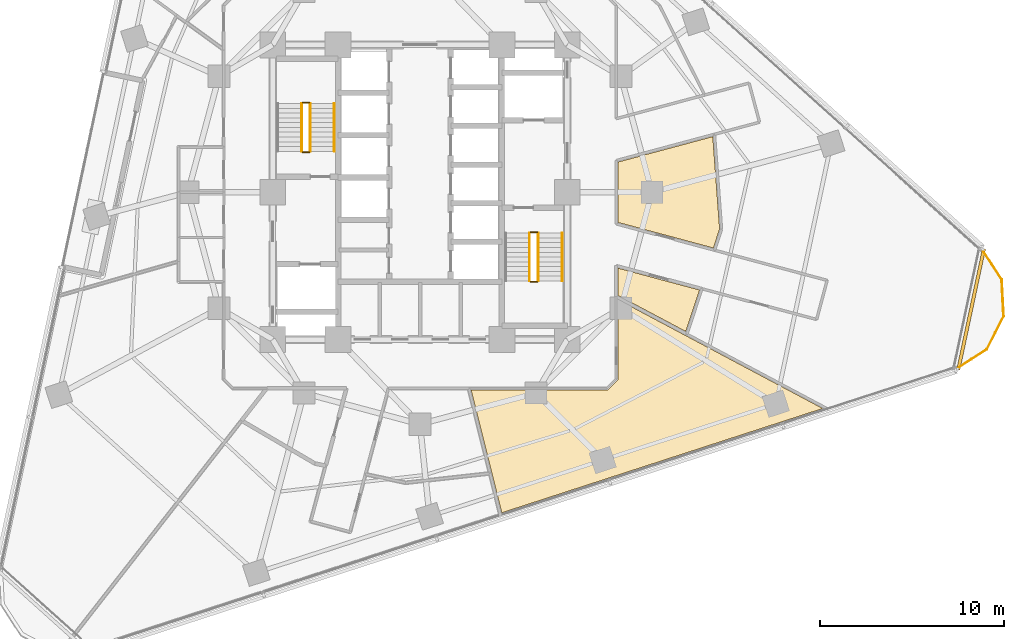
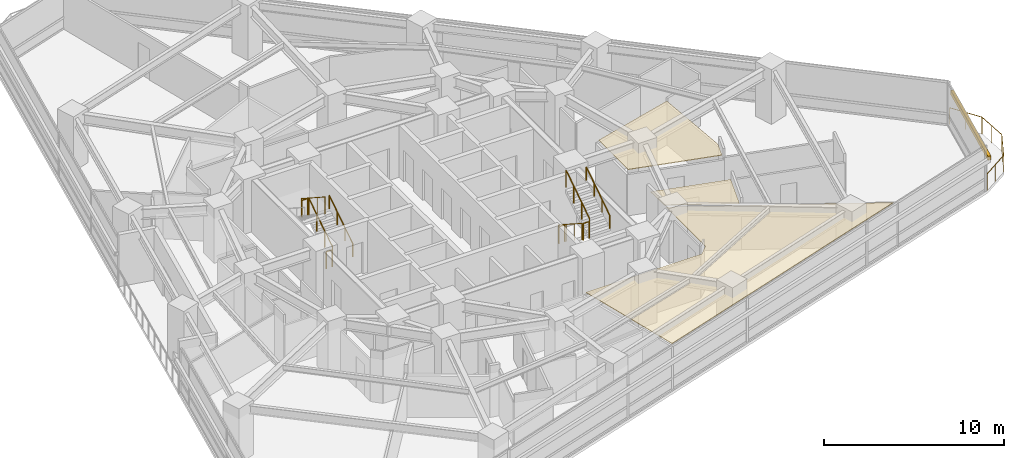
# One storey, part 13 of 14: 11 railings, 3 coverings, 1 shading device.
"""IFC4 building model written with IfcOpenShell, lengths in metres."""

import ifcopenshell
import ifcopenshell.guid

model = None  # the IFC model being written
_history = None  # IfcOwnerHistory: only IFC2X3 demands one
_inside = {}  # id of a spatial element -> (the spatial element, [elements in it])
_under = {}  # id of a project, library or spatial element -> (it, [spatial elements below it])
_declared = {}  # id of a project -> (the project, [libraries it declares])
_typed = {}  # id of a type object -> (the type object, [elements of that type])
_made_of = {}  # id of a material, layer set ... -> (it, [elements and type objects made of it])


def new_model(schema):
    """Start an empty IFC model of exactly this schema.

    Asked for "IFC4X3", IfcOpenShell would pick the latest addendum, in which some entities
    have other attributes; the version numbers below select the first issue.
    IFC2X3 requires an IfcOwnerHistory on every rooted entity: one is made here for all.
    """
    global model, _history
    if schema == "IFC4X3":
        model = ifcopenshell.file(schema_version=(4, 3, 0, 0))
    else:
        model = ifcopenshell.file(schema=schema)
    _inside.clear()
    _under.clear()
    _declared.clear()
    _typed.clear()
    _made_of.clear()
    _history = None
    if model.schema == "IFC2X3":
        org = make("IfcOrganization", Name="unknown")
        user = make(
            "IfcPersonAndOrganization",
            ThePerson=make("IfcPerson", FamilyName="unknown"),
            TheOrganization=org,
        )
        app = make(
            "IfcApplication",
            ApplicationDeveloper=org,
            Version="unknown",
            ApplicationFullName="unknown",
            ApplicationIdentifier="unknown",
        )
        _history = make(
            "IfcOwnerHistory",
            OwningUser=user,
            OwningApplication=app,
            ChangeAction="ADDED",
            CreationDate=0,
        )
    return model


def make(cls, **values):
    """One entity of the class cls with the attributes given. An attribute that is None is left unset."""
    return model.create_entity(
        cls, **{name: value for name, value in values.items() if value is not None}
    )


def rooted(cls, **values):
    """An entity with a GlobalId (a new one), such as an element, a storey or a relation."""
    return make(cls, GlobalId=ifcopenshell.guid.new(), OwnerHistory=_history, **values)


def si_unit(unit_type, name, prefix=None):
    """IfcSIUnit, for example si_unit("LENGTHUNIT", "METRE", prefix="MILLI")."""
    return make("IfcSIUnit", UnitType=unit_type, Prefix=prefix, Name=name)


def assignment(units):
    """IfcUnitAssignment: the units of a project."""
    return None if units is None else make("IfcUnitAssignment", Units=units)


def point(xyz):
    """IfcCartesianPoint."""
    return None if xyz is None else make("IfcCartesianPoint", Coordinates=xyz)


def direction(xyz):
    """IfcDirection."""
    return None if xyz is None else make("IfcDirection", DirectionRatios=xyz)


def frame(location, z_axis=None, x_axis=None):
    """IfcAxis2Placement3D, a coordinate frame: its origin and axes. An axis left out is left unset."""
    return make(
        "IfcAxis2Placement3D",
        Location=point(location),
        Axis=direction(z_axis),
        RefDirection=direction(x_axis),
    )


def frame_2d(location, x_axis=None):
    """IfcAxis2Placement2D, a coordinate frame in the plane: its origin and x axis."""
    return make(
        "IfcAxis2Placement2D", Location=point(location), RefDirection=direction(x_axis)
    )


def origin():
    """The frame at (0, 0, 0) with its axes left unset."""
    return frame((0.0, 0.0, 0.0))


def origin_2d():
    """The frame at (0, 0) in the plane with its x axis left unset."""
    return frame_2d((0.0, 0.0))


def place(relative_to, where):
    """IfcLocalPlacement: puts the frame where relative to a parent placement (None: the world)."""
    return make(
        "IfcLocalPlacement", PlacementRelTo=relative_to, RelativePlacement=where
    )


def context(
    kind, dimensions, precision=None, world=None, true_north=None, identifier=None
):
    """IfcGeometricRepresentationContext, for example the 3D "Model" context."""
    return make(
        "IfcGeometricRepresentationContext",
        ContextIdentifier=identifier,
        ContextType=kind,
        CoordinateSpaceDimension=dimensions,
        Precision=precision,
        WorldCoordinateSystem=world,
        TrueNorth=true_north,
    )


def subcontext(parent, identifier, kind, view, scale=None):
    """IfcGeometricRepresentationSubContext, for example "Body" below "Model"."""
    return make(
        "IfcGeometricRepresentationSubContext",
        ContextIdentifier=identifier,
        ContextType=kind,
        ParentContext=parent,
        TargetScale=scale,
        TargetView=view,
    )


def project(units=None, contexts=None):
    """IfcProject with its units and contexts."""
    return rooted(
        "IfcProject",
        Name="project",
        RepresentationContexts=contexts,
        UnitsInContext=assignment(units),
    )


def spatial(cls, under=None, at=None, **own):
    """A site, building, storey or space (cls), placed at a placement, below another one or the project."""
    s = rooted(cls, ObjectPlacement=at, **own)
    if under is not None:
        _under.setdefault(under.id(), (under, []))[1].append(s)
    return s


def polyline(points):
    """IfcPolyline through the points."""
    return make("IfcPolyline", Points=[point(p) for p in points])


def profile(cls, at=None, kind="AREA", **sizes):
    """A parametric profile (cls). Its sizes go by their IFC names, for example OverallWidth=200.0."""
    return make(cls, ProfileType=kind, Position=at, **sizes)


def rectangle(**sizes):
    """IfcRectangleProfileDef."""
    return profile("IfcRectangleProfileDef", **sizes)


def circle(**sizes):
    """IfcCircleProfileDef."""
    return profile("IfcCircleProfileDef", **sizes)


def outline(outer, holes=None, kind="AREA"):
    """IfcArbitraryClosedProfileDef: a profile drawn as a closed curve; with holes, ...WithVoids."""
    if holes is None:
        return make("IfcArbitraryClosedProfileDef", ProfileType=kind, OuterCurve=outer)
    return make(
        "IfcArbitraryProfileDefWithVoids",
        ProfileType=kind,
        OuterCurve=outer,
        InnerCurves=holes,
    )


def extrude(swept, where, along, depth):
    """IfcExtrudedAreaSolid: the profile swept, set in the frame where, extruded along a direction by depth."""
    return make(
        "IfcExtrudedAreaSolid",
        SweptArea=swept,
        Position=where,
        ExtrudedDirection=direction(along),
        Depth=depth,
    )


def shape(context_of_items, identifier, shape_type, items):
    """IfcShapeRepresentation: the items that make up one representation, for example the "Body"."""
    return make(
        "IfcShapeRepresentation",
        ContextOfItems=context_of_items,
        RepresentationIdentifier=identifier,
        RepresentationType=shape_type,
        Items=items,
    )


def material(Name=None, Category=None):
    """IfcMaterial."""
    return make("IfcMaterial", Name=Name, Category=Category)


def layer(
    of_material, thickness, ventilated=None, Name=None, Category=None, Priority=None
):
    """IfcMaterialLayer: one layer of a wall or slab, of a material (None: an air gap)."""
    return make(
        "IfcMaterialLayer",
        Material=of_material,
        LayerThickness=thickness,
        IsVentilated=ventilated,
        Name=Name,
        Category=Category,
        Priority=Priority,
    )


def layer_set(layers, Name=None):
    """IfcMaterialLayerSet."""
    return make("IfcMaterialLayerSet", MaterialLayers=layers, LayerSetName=Name)


def made_of(thing, what):
    """Note that an element or type object is made of a material, layer set ...; save() writes the relation."""
    if what is not None:
        _made_of.setdefault(what.id(), (what, []))[1].append(thing)
    return thing


def type_object(cls, material=None, **own):
    """A type object (cls), such as IfcWallType, which elements share."""
    return made_of(rooted(cls, **own), material)


def element(
    cls,
    number,
    at=None,
    inside=None,
    cuts=None,
    type_object=None,
    material=None,
    context=None,
    identifier="Body",
    shape_type=None,
    held_by="IfcProductDefinitionShape",
    body=None,
    shapes=None,
    **own,
):
    """One element of the class cls, such as IfcWall. Its Tag is "e" and its number.

    at: its placement. inside: the storey or other place that contains it. cuts: it is an
    opening in that element (IfcRelVoidsElement). A single representation is given by context,
    identifier, shape_type and body (its items); several are given by shapes. held_by: the class
    of the entity that holds the representations. save() writes the other relations.
    """
    e = rooted(cls, Tag="e%d" % number, ObjectPlacement=at, **own)
    if body is not None:
        shapes = [shape(context, identifier, shape_type, body)]
    if shapes is not None:
        e.Representation = make(held_by, Representations=shapes)
    if inside is not None:
        _inside.setdefault(inside.id(), (inside, []))[1].append(e)
    if cuts is not None:
        rooted(
            "IfcRelVoidsElement", RelatingBuildingElement=cuts, RelatedOpeningElement=e
        )
    if type_object is not None:
        _typed.setdefault(type_object.id(), (type_object, []))[1].append(e)
    return made_of(e, material)


def aggregate(whole, parts):
    """IfcRelAggregates: a whole, such as a stair, and the parts it consists of."""
    return rooted("IfcRelAggregates", RelatingObject=whole, RelatedObjects=parts)


def save(model, path):
    """Write the relations noted so far, then the file.

    IfcRelAggregates (storeys below a building ...), IfcRelContainedInSpatialStructure (elements
    in a storey), IfcRelDefinesByType, IfcRelAssociatesMaterial and IfcRelDeclares: one each for
    every whole, place, type object, material and project.
    """
    for whole, parts in _under.values():
        aggregate(whole, parts)
    for where, things in _inside.values():
        rooted(
            "IfcRelContainedInSpatialStructure",
            RelatedElements=things,
            RelatingStructure=where,
        )
    for kind, things in _typed.values():
        rooted("IfcRelDefinesByType", RelatedObjects=things, RelatingType=kind)
    for what, things in _made_of.values():
        rooted("IfcRelAssociatesMaterial", RelatedObjects=things, RelatingMaterial=what)
    for by, libraries in _declared.values():
        rooted("IfcRelDeclares", RelatingContext=by, RelatedDefinitions=libraries)
    model.write(path)


model = new_model("IFC4")

# Units and contexts
model_context = context("Model", 3, precision=1e-05, world=origin(), true_north=direction((0.0, 1.0)))
body_context = subcontext(model_context, "Body", "Model", "MODEL_VIEW")
ifc_project = project(units=[si_unit("LENGTHUNIT", "METRE"), si_unit("AREAUNIT", "SQUARE_METRE"), si_unit("VOLUMEUNIT", "CUBIC_METRE"), si_unit("PLANEANGLEUNIT", "RADIAN"), si_unit("MASSUNIT", "GRAM", prefix="KILO")], contexts=[model_context])

# Site, building, storey
site_placement = place(None, origin())
site = spatial("IfcSite", under=ifc_project, at=site_placement, CompositionType="ELEMENT")
building_placement = place(site_placement, origin())
building = spatial("IfcBuilding", under=site, at=building_placement, Name="Terralouvre Media Tower", CompositionType="ELEMENT")
storey_placement = place(building_placement, frame((0.0, 0.0, 112.5)))
storey = spatial("IfcBuildingStorey", under=building, at=storey_placement, Name="L28", CompositionType="ELEMENT", Elevation=112.5)

# Coverings
ifc_material_1 = material(Name="Perforated aluminium acoustic ceiling baffle", Category="aluminium")
ifc_layer_1 = layer(ifc_material_1, 0.0400390625, Name="Perforated Acoustic Metal Tile Ceiling CL-AC1")
ifc_layer_set_1 = layer_set([ifc_layer_1], Name="Perforated aluminium acoustic ceiling baffle")
covering_type = type_object("IfcCoveringType", Name="Perforated Acoustic Metal Tile Ceiling CL-AC1", PredefinedType="CEILING", material=ifc_layer_set_1)
covering_1_placement = place(storey_placement, frame((0.0, 0.0, 2.97998046875), z_axis=(0.0, 0.0, 1.0), x_axis=(0.951056516295, 0.309016994375, 0.0)))
element("IfcCovering", 1, at=covering_1_placement, inside=storey, type_object=covering_type, Name="L28 Editorial Collaborative Open Office 3 Acoustic Ceiling", PredefinedType="CEILING", context=body_context, shape_type="SweptSolid", body=[
    extrude(outline(polyline([(16.057861328125, -2.04296875), (10.730224609375, -1.763916015625), (9.717529296875, -4.880126953125), (14.220947265625, -7.804443359375), (14.861572265625, -6.93017578125), (16.057861328125, -2.04296875)])), origin(), (0.0, 0.0, 1.0), 0.0400390625),
])
covering_2_placement = place(storey_placement, frame((0.0, 0.0, 2.97998046875), z_axis=(0.0, 0.0, 1.0), x_axis=(0.951056516295, 0.309016994375, 0.0)))
element("IfcCovering", 2, at=covering_2_placement, inside=storey, type_object=covering_type, Name="L28 Executive Security Control Room 6 Acoustic Ceiling", PredefinedType="CEILING", context=body_context, shape_type="SweptSolid", body=[
    extrude(outline(polyline([(12.799560546875, -9.743408203125), (8.949951171875, -7.242431640625), (8.492431640625, -8.650634765625), (11.395751953125, -11.656982421875), (12.799560546875, -9.743408203125)])), origin(), (0.0, 0.0, 1.0), 0.0400390625),
])
covering_3_placement = place(storey_placement, frame((0.0, 0.0, 2.97998046875), z_axis=(0.0, 0.0, 1.0), x_axis=(0.951056516295, 0.309016994375, 0.0)))
element("IfcCovering", 3, at=covering_3_placement, inside=storey, type_object=covering_type, Name="L28 Compliance Review Seminar Room 9 Acoustic Ceiling", PredefinedType="CEILING", context=body_context, shape_type="SweptSolid", body=[
    extrude(outline(polyline([(8.42236328125, -8.865966796875), (7.08740234375, -12.97509765625), (7.083740234375, -12.984375), (7.07958984375, -12.9931640625), (7.07421875, -13.00146484375), (7.068359375, -13.00927734375), (7.0615234375, -13.016357421875), (7.05419921875, -13.022705078125), (7.046142578125, -13.0283203125), (7.03759765625, -13.033447265625), (6.407470703125, -13.354248046875), (6.398681640625, -13.3583984375), (6.389404296875, -13.361572265625), (6.379638671875, -13.36376953125), (6.3701171875, -13.364990234375), (6.360107421875, -13.365234375), (6.350341796875, -13.364501953125), (6.3408203125, -13.363037109375), (6.331298828125, -13.3603515625), (-0.675048828125, -11.083740234375), (-0.99755859375, -15.707275390625), (-1.153564453125, -17.931884765625), (17.17724609375, -17.932373046875), (11.334228515625, -11.88134765625), (8.42236328125, -8.865966796875)])), origin(), (0.0, 0.0, 1.0), 0.0400390625),
])

# Railings
ifc_material_2 = material(Name="Stainless steel 316 handrail and balustrade", Category="steel")
ifc_layer_2 = layer(ifc_material_2, 0.06005859375, Name="Roof Edge Safety Guardrail GR-ROOF1")
ifc_layer_set_2 = layer_set([ifc_layer_2], Name="Stainless steel 316 handrail and balustrade")
railing_type_1 = type_object("IfcRailingType", Name="Roof Edge Safety Guardrail GR-ROOF1", PredefinedType="GUARDRAIL", material=ifc_layer_set_2)
railing_1_placement = place(storey_placement, frame((29.105224609375, -9.6201171875, 0.0)))
element("IfcRailing", 4, at=railing_1_placement, inside=storey, type_object=railing_type_1, Name="L28 Wind-Corner Perimeter Safety Guardrail C1", PredefinedType="GUARDRAIL", context=body_context, shape_type="SweptSolid", body=[
    extrude(circle(Radius=0.02099609375, at=origin_2d()), frame((0.0, 0.0, 1.12890625), z_axis=(0.838760176544, 0.544501025016, 0.0), x_axis=(-0.544501025016, 0.838760176544, 0.0)), (0.0, 0.0, 1.0), 2.0078125),
    extrude(circle(Radius=0.02099609375, at=origin_2d()), frame((1.68408203125, 1.09326171875, 1.12890625), z_axis=(0.454107952828, 0.890946669099, 0.0), x_axis=(-0.890946669099, 0.454107952828, 0.0)), (0.0, 0.0, 1.0), 2.007568359375),
    extrude(circle(Radius=0.02099609375, at=origin_2d()), frame((2.595703125, 2.8818359375, 1.12890625), z_axis=(-0.052412032372, 0.998625544868, 0.0), x_axis=(-0.998625544868, -0.052412032372, 0.0)), (0.0, 0.0, 1.0), 2.007568359375),
    extrude(circle(Radius=0.02099609375, at=origin_2d()), frame((2.490478515625, 4.88671875, 1.12890625), z_axis=(-0.544868673015, 0.838521394579, 0.0), x_axis=(-0.838521394579, -0.544868673015, 0.0)), (0.0, 0.0, 1.0), 2.0078125),
    extrude(circle(Radius=0.01904296875, at=origin_2d()), origin(), (0.0, 0.0, 1.0), 1.10791015625),
    extrude(circle(Radius=0.01904296875, at=origin_2d()), frame((0.842041015625, 0.546630859375, 0.0)), (0.0, 0.0, 1.0), 1.10791015625),
    extrude(circle(Radius=0.01904296875, at=origin_2d()), frame((1.68408203125, 1.09326171875, 0.0)), (0.0, 0.0, 1.0), 1.10791015625),
    extrude(circle(Radius=0.01904296875, at=origin_2d()), frame((2.139892578125, 1.987548828125, 0.0)), (0.0, 0.0, 1.0), 1.10791015625),
    extrude(circle(Radius=0.01904296875, at=origin_2d()), frame((2.595703125, 2.8818359375, 0.0)), (0.0, 0.0, 1.0), 1.10791015625),
    extrude(circle(Radius=0.01904296875, at=origin_2d()), frame((2.54296875, 3.88427734375, 0.0)), (0.0, 0.0, 1.0), 1.10791015625),
    extrude(circle(Radius=0.01904296875, at=origin_2d()), frame((2.490478515625, 4.88671875, 0.0)), (0.0, 0.0, 1.0), 1.10791015625),
    extrude(circle(Radius=0.01904296875, at=origin_2d()), frame((1.943359375, 5.728515625, 0.0)), (0.0, 0.0, 1.0), 1.10791015625),
    extrude(circle(Radius=0.01904296875, at=origin_2d()), frame((1.396484375, 6.5703125, 0.0)), (0.0, 0.0, 1.0), 1.10791015625),
])
ifc_material_3 = material(Name="Stainless steel 316 handrail and balustrade", Category="steel")
ifc_layer_3 = layer(ifc_material_3, 0.050048828125, Name="Stair Flight Wall Handrail HR-INT1")
ifc_layer_set_3 = layer_set([ifc_layer_3], Name="Stainless steel 316 handrail and balustrade")
railing_type_2 = type_object("IfcRailingType", Name="Stair Flight Wall Handrail HR-INT1", PredefinedType="HANDRAIL", material=ifc_layer_set_3)
for number, where, name in (
    (5, (-4.64990234375, 2.219970703125, 0.168212890625), "L28 ST-01 stair handrail 1"),
    (6, (7.72998046875, -4.820068359375, 2.01806640625), "L28 ST-02 stair handrail 2"),
):
    element("IfcRailing", number, at=place(storey_placement, frame(where)), inside=storey, type_object=railing_type_2, Name=name, PredefinedType="HANDRAIL", context=body_context, shape_type="SweptSolid", body=[
        extrude(circle(Radius=0.02392578125, at=origin_2d()), frame((0.0, 0.0, 0.8759765625), z_axis=(0.0, 0.839648411786, 0.543130320075), x_axis=(-1.0, 0.0, 0.0)), (0.0, 0.0, 1.0), 3.0966796875),
        extrude(circle(Radius=0.02099609375, at=origin_2d()), origin(), (0.0, 0.0, 1.0), 0.851806640625),
        extrude(circle(Radius=0.02099609375, at=origin_2d()), frame((0.0, 0.86669921875, 0.560546875)), (0.0, 0.0, 1.0), 0.851806640625),
        extrude(circle(Radius=0.02099609375, at=origin_2d()), frame((0.0, 1.7333984375, 1.121337890625)), (0.0, 0.0, 1.0), 0.851806640625),
        extrude(circle(Radius=0.02099609375, at=origin_2d()), frame((0.0, 2.60009765625, 1.681884765625)), (0.0, 0.0, 1.0), 0.851806640625),
    ])
ifc_material_4 = material(Name="Stainless steel 316 handrail and balustrade", Category="steel")
ifc_layer_4 = layer(ifc_material_4, 0.050048828125, Name="Stairwell Safety Guardrail GR-INT1")
ifc_layer_set_4 = layer_set([ifc_layer_4], Name="Stainless steel 316 handrail and balustrade")
railing_type_3 = type_object("IfcRailingType", Name="Stairwell Safety Guardrail GR-INT1", PredefinedType="GUARDRAIL", material=ifc_layer_set_4)
railing_2_placement = place(storey_placement, frame((-5.949951171875, 2.219970703125, 0.168212890625)))
element("IfcRailing", 7, at=railing_2_placement, inside=storey, type_object=railing_type_3, Name="L28 ST-01 stair guard 1", PredefinedType="GUARDRAIL", context=body_context, shape_type="SweptSolid", body=[
    extrude(circle(Radius=0.02392578125, at=origin_2d()), frame((0.0, 0.0, 1.1259765625), z_axis=(0.0, 0.839648411786, 0.543130320075), x_axis=(-1.0, 0.0, 0.0)), (0.0, 0.0, 1.0), 3.0966796875),
    extrude(circle(Radius=0.02099609375, at=origin_2d()), origin(), (0.0, 0.0, 1.0), 1.101806640625),
    extrude(circle(Radius=0.02099609375, at=origin_2d()), frame((0.0, 0.86669921875, 0.560546875)), (0.0, 0.0, 1.0), 1.101806640625),
    extrude(circle(Radius=0.02099609375, at=origin_2d()), frame((0.0, 1.7333984375, 1.121337890625)), (0.0, 0.0, 1.0), 1.101806640625),
    extrude(circle(Radius=0.02099609375, at=origin_2d()), frame((0.0, 2.60009765625, 1.681884765625)), (0.0, 0.0, 1.0), 1.101806640625),
])
railing_3_placement = place(storey_placement, frame((-6.0, 4.8701171875, 1.85009765625)))
element("IfcRailing", 8, at=railing_3_placement, inside=storey, type_object=railing_type_3, Name="L28 ST-01 stair guard 2", PredefinedType="GUARDRAIL", context=body_context, shape_type="SweptSolid", body=[
    extrude(circle(Radius=0.02392578125, at=origin_2d()), frame((0.0, 0.0, 1.1259765625), z_axis=(-1.0, 0.0, 0.0), x_axis=(0.0, -1.0, 0.0)), (0.0, 0.0, 1.0), 0.3798828125),
    extrude(circle(Radius=0.02099609375, at=origin_2d()), origin(), (0.0, 0.0, 1.0), 1.101806640625),
    extrude(circle(Radius=0.02099609375, at=origin_2d()), frame((-0.3798828125, 0.0, 0.0)), (0.0, 0.0, 1.0), 1.101806640625),
])
railing_4_placement = place(storey_placement, frame((-6.429931640625, 4.820068359375, 2.01806640625)))
element("IfcRailing", 9, at=railing_4_placement, inside=storey, type_object=railing_type_3, Name="L28 ST-01 stair guard 3", PredefinedType="GUARDRAIL", context=body_context, shape_type="SweptSolid", body=[
    extrude(circle(Radius=0.02392578125, at=origin_2d()), frame((0.0, 0.0, 1.1259765625), z_axis=(0.0, -0.839648411786, 0.543130320075), x_axis=(1.0, 0.0, 0.0)), (0.0, 0.0, 1.0), 3.0966796875),
    extrude(circle(Radius=0.02099609375, at=origin_2d()), origin(), (0.0, 0.0, 1.0), 1.101806640625),
    extrude(circle(Radius=0.02099609375, at=origin_2d()), frame((0.0, -0.86669921875, 0.560546875)), (0.0, 0.0, 1.0), 1.101806640625),
    extrude(circle(Radius=0.02099609375, at=origin_2d()), frame((0.0, -1.7333984375, 1.121337890625)), (0.0, 0.0, 1.0), 1.101806640625),
    extrude(circle(Radius=0.02099609375, at=origin_2d()), frame((0.0, -2.60009765625, 1.681884765625)), (0.0, 0.0, 1.0), 1.101806640625),
])
railing_5_placement = place(storey_placement, frame((-6.0, 2.169921875, 0.0)))
element("IfcRailing", 10, at=railing_5_placement, inside=storey, type_object=railing_type_3, Name="L28 ST-01 stair guard 4", PredefinedType="GUARDRAIL", context=body_context, shape_type="SweptSolid", body=[
    extrude(circle(Radius=0.02392578125, at=origin_2d()), frame((0.0, 0.0, 1.1259765625), z_axis=(-1.0, 0.0, 0.0), x_axis=(0.0, -1.0, 0.0)), (0.0, 0.0, 1.0), 0.3798828125),
    extrude(circle(Radius=0.02099609375, at=origin_2d()), origin(), (0.0, 0.0, 1.0), 1.101806640625),
    extrude(circle(Radius=0.02099609375, at=origin_2d()), frame((-0.3798828125, 0.0, 0.0)), (0.0, 0.0, 1.0), 1.101806640625),
])
railing_6_placement = place(storey_placement, frame((5.949951171875, -2.219970703125, 0.168212890625)))
element("IfcRailing", 11, at=railing_6_placement, inside=storey, type_object=railing_type_3, Name="L28 ST-02 stair guard 1", PredefinedType="GUARDRAIL", context=body_context, shape_type="SweptSolid", body=[
    extrude(circle(Radius=0.02392578125, at=origin_2d()), frame((0.0, 0.0, 1.1259765625), z_axis=(0.0, -0.839648411786, 0.543130320075), x_axis=(1.0, 0.0, 0.0)), (0.0, 0.0, 1.0), 3.0966796875),
    extrude(circle(Radius=0.02099609375, at=origin_2d()), origin(), (0.0, 0.0, 1.0), 1.101806640625),
    extrude(circle(Radius=0.02099609375, at=origin_2d()), frame((0.0, -0.86669921875, 0.560546875)), (0.0, 0.0, 1.0), 1.101806640625),
    extrude(circle(Radius=0.02099609375, at=origin_2d()), frame((0.0, -1.7333984375, 1.121337890625)), (0.0, 0.0, 1.0), 1.101806640625),
    extrude(circle(Radius=0.02099609375, at=origin_2d()), frame((0.0, -2.60009765625, 1.681884765625)), (0.0, 0.0, 1.0), 1.101806640625),
])
railing_7_placement = place(storey_placement, frame((6.0, -4.8701171875, 1.85009765625)))
element("IfcRailing", 12, at=railing_7_placement, inside=storey, type_object=railing_type_3, Name="L28 ST-02 stair guard 2", PredefinedType="GUARDRAIL", context=body_context, shape_type="SweptSolid", body=[
    extrude(circle(Radius=0.02392578125, at=origin_2d()), frame((0.0, 0.0, 1.1259765625), z_axis=(1.0, 0.0, 0.0), x_axis=(0.0, 1.0, 0.0)), (0.0, 0.0, 1.0), 0.3798828125),
    extrude(circle(Radius=0.02099609375, at=origin_2d()), origin(), (0.0, 0.0, 1.0), 1.101806640625),
    extrude(circle(Radius=0.02099609375, at=origin_2d()), frame((0.3798828125, 0.0, 0.0)), (0.0, 0.0, 1.0), 1.101806640625),
])
railing_8_placement = place(storey_placement, frame((6.429931640625, -4.820068359375, 2.01806640625)))
element("IfcRailing", 13, at=railing_8_placement, inside=storey, type_object=railing_type_3, Name="L28 ST-02 stair guard 3", PredefinedType="GUARDRAIL", context=body_context, shape_type="SweptSolid", body=[
    extrude(circle(Radius=0.02392578125, at=origin_2d()), frame((0.0, 0.0, 1.1259765625), z_axis=(0.0, 0.839648411786, 0.543130320075), x_axis=(-1.0, 0.0, 0.0)), (0.0, 0.0, 1.0), 3.0966796875),
    extrude(circle(Radius=0.02099609375, at=origin_2d()), origin(), (0.0, 0.0, 1.0), 1.101806640625),
    extrude(circle(Radius=0.02099609375, at=origin_2d()), frame((0.0, 0.86669921875, 0.560546875)), (0.0, 0.0, 1.0), 1.101806640625),
    extrude(circle(Radius=0.02099609375, at=origin_2d()), frame((0.0, 1.7333984375, 1.121337890625)), (0.0, 0.0, 1.0), 1.101806640625),
    extrude(circle(Radius=0.02099609375, at=origin_2d()), frame((0.0, 2.60009765625, 1.681884765625)), (0.0, 0.0, 1.0), 1.101806640625),
])
railing_9_placement = place(storey_placement, frame((6.0, -2.169921875, 0.0)))
element("IfcRailing", 14, at=railing_9_placement, inside=storey, type_object=railing_type_3, Name="L28 ST-02 stair guard 4", PredefinedType="GUARDRAIL", context=body_context, shape_type="SweptSolid", body=[
    extrude(circle(Radius=0.02392578125, at=origin_2d()), frame((0.0, 0.0, 1.1259765625), z_axis=(1.0, 0.0, 0.0), x_axis=(0.0, 1.0, 0.0)), (0.0, 0.0, 1.0), 0.3798828125),
    extrude(circle(Radius=0.02099609375, at=origin_2d()), origin(), (0.0, 0.0, 1.0), 1.101806640625),
    extrude(circle(Radius=0.02099609375, at=origin_2d()), frame((0.3798828125, 0.0, 0.0)), (0.0, 0.0, 1.0), 1.101806640625),
])

# Shading device
ifc_material_5 = material(Name="Extruded terracotta baguette sunshade louvres", Category="masonry")
shading_device_type = type_object("IfcShadingDeviceType", Name="Terracotta Baguette Sunshade Louvre Screen TB-LV1", PredefinedType="USERDEFINED", material=ifc_material_5)
shading_device_placement = place(storey_placement, frame((29.935302734375, -6.363037109375, 2.02392578125), z_axis=(0.0, 0.0, 1.0), x_axis=(0.207911611348, 0.978147617626, 0.0)))
element("IfcShadingDevice", 15, at=shading_device_placement, inside=storey, type_object=shading_device_type, Name="CW-L28-C1 Terracotta Baguette Sunshade Louvre", ObjectType="BAGUETTE", PredefinedType="USERDEFINED", context=body_context, shape_type="SweptSolid", body=[
    extrude(rectangle(XDim=6.720458984375, YDim=0.179931640625, at=origin_2d()), origin(), (0.0, 0.0, 1.0), 0.280029296875),
])

save(model, "model.ifc")
